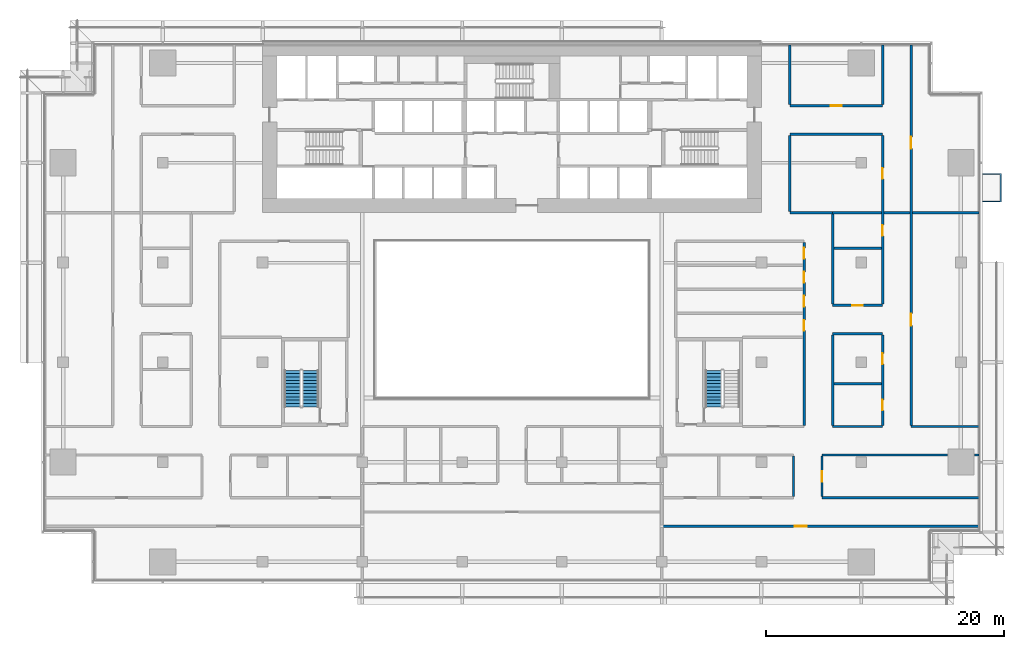
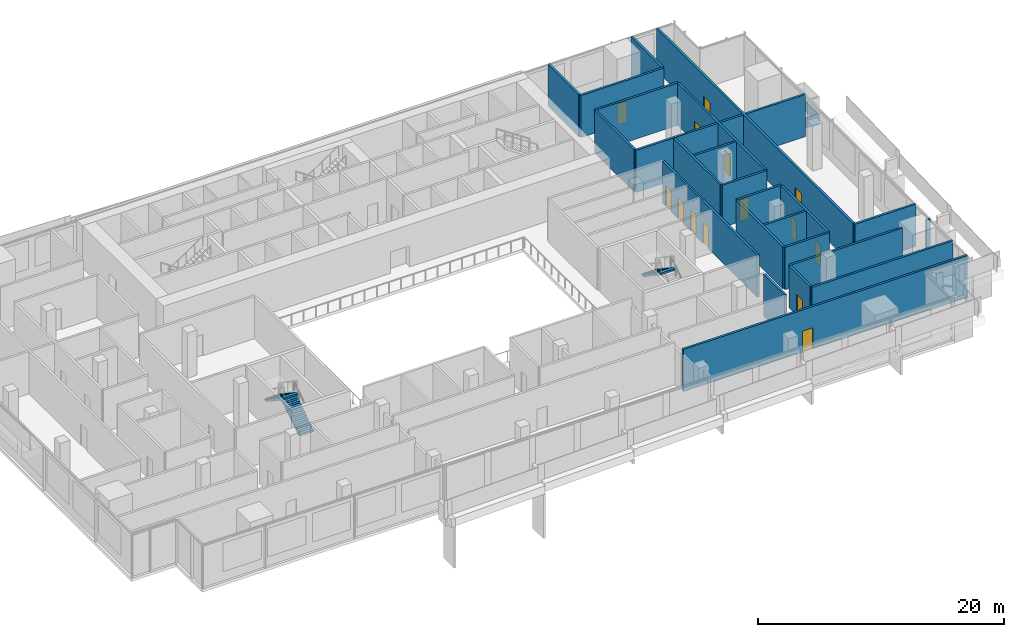
# One storey, part 18 of 24: 28 walls, 14 doors, 3 stair flights, 14 openings, 2 elements without a shape of their own.
"""IFC4 building model written with IfcOpenShell, lengths in metres."""

from ifc_helpers import new_model, si_unit, direction, frame, frame_2d, origin, place, context, subcontext, project, spatial, polyline, rectangle, outline, extrude, material, layer, layer_set, type_object, element, fill, aggregate, save


model = new_model("IFC4")

# Units and contexts
model_context = context("Model", 3, precision=1e-05, world=origin(), true_north=direction((0.0, 1.0)))
body_context = subcontext(model_context, "Body", "Model", "MODEL_VIEW")
ifc_project = project(units=[si_unit("LENGTHUNIT", "METRE"), si_unit("AREAUNIT", "SQUARE_METRE"), si_unit("VOLUMEUNIT", "CUBIC_METRE"), si_unit("PLANEANGLEUNIT", "RADIAN"), si_unit("MASSUNIT", "GRAM", prefix="KILO")], contexts=[model_context])

# Site, building, storey
site_placement = place(None, origin())
site = spatial("IfcSite", under=ifc_project, at=site_placement, CompositionType="ELEMENT")
building_placement = place(site_placement, origin())
building = spatial("IfcBuilding", under=site, at=building_placement, Name="Saffron Gate Tower", CompositionType="ELEMENT")
storey_placement = place(building_placement, frame((0.0, 0.0, 28.199951171875)))
storey = spatial("IfcBuildingStorey", under=building, at=storey_placement, Name="L05", CompositionType="ELEMENT", Elevation=28.199951171875)

# Wall, opening, door
ifc_material_1 = material(Name="Clay brick masonry, rendered", Category="masonry")
ifc_layer_1 = layer(ifc_material_1, 0.199951171875)
ifc_layer_set_1 = layer_set([ifc_layer_1], Name="PW3 Corridor wall 200")
wall_type_1 = type_object("IfcWallType", Name="PW3 Corridor wall 200", PredefinedType="PARTITIONING", material=ifc_layer_set_1)
wall_1_placement = place(storey_placement, frame((126.919921875, 34.800048828125, 0.0), z_axis=(0.0, 0.0, 1.0), x_axis=(-1.0, 0.0, 0.0)))
wall_1 = element("IfcWall", 1, at=wall_1_placement, inside=storey, type_object=wall_type_1, Name="Wall S2-2", PredefinedType="PARTITIONING", context=body_context, shape_type="SweptSolid", body=[
    extrude(rectangle(XDim=26.719970703125, YDim=0.199951171875, at=frame_2d((13.35986328125, 0.0))), origin(), (0.0, 0.0, 1.0), 4.199951171875),
])
opening_1_placement = place(wall_1_placement, frame((14.51611328125, 0.0, 0.0)))
opening_1 = element("IfcOpeningElement", 2, at=opening_1_placement, cuts=wall_1, Name="Opening S2-34", PredefinedType="OPENING", context=body_context, shape_type="SweptSolid", body=[
    extrude(rectangle(XDim=1.0, YDim=2.10009765625, at=frame_2d((0.5, 1.050048828125))), frame((0.0, 0.10986328125, 0.0), z_axis=(0.0, -1.0, 0.0), x_axis=(1.0, 0.0, 0.0)), (0.0, 0.0, 1.0), 0.219970703125),
])
ifc_material_2 = material(Name="Timber door set", Category="wood")
door_type_1 = type_object("IfcDoorType", Name="HD1 Hall door 1200x2100", OperationType="NOTDEFINED", PredefinedType="DOOR", material=ifc_material_2)
door_1_placement = place(opening_1_placement, origin())
door_1 = element("IfcDoor", 3, at=door_1_placement, inside=storey, type_object=door_type_1, Name="Door S2-34", OperationType="SINGLE_SWING_RIGHT", OverallHeight=2.10009765625, OverallWidth=1.0, PredefinedType="DOOR", context=body_context, shape_type="SweptSolid", body=[
    extrude(rectangle(XDim=1.0, YDim=2.10009765625, at=frame_2d((0.5, 1.050048828125))), frame((0.0, 0.02490234375, 0.0), z_axis=(0.0, -1.0, 0.0), x_axis=(1.0, 0.0, 0.0)), (0.0, 0.0, 1.0), 0.050048828125),
])
fill(opening_1, door_1)

# Walls
wall_2_placement = place(storey_placement, frame((113.699951171875, 37.199951171875, 0.0), z_axis=(0.0, 0.0, 1.0), x_axis=(1.0, 0.0, 0.0)))
element("IfcWall", 4, at=wall_2_placement, inside=storey, type_object=wall_type_1, Name="Wall S2-7", PredefinedType="PARTITIONING", context=body_context, shape_type="SweptSolid", body=[
    extrude(rectangle(XDim=13.219970703125, YDim=0.199951171875, at=frame_2d((6.60986328125, 0.0))), origin(), (0.0, 0.0, 1.0), 4.199951171875),
])
wall_3_placement = place(storey_placement, frame((113.699951171875, 40.800048828125, 0.0), z_axis=(0.0, 0.0, 1.0), x_axis=(1.0, 0.0, 0.0)))
element("IfcWall", 5, at=wall_3_placement, inside=storey, type_object=wall_type_1, Name="Wall S2-14", PredefinedType="PARTITIONING", context=body_context, shape_type="SweptSolid", body=[
    extrude(rectangle(XDim=10.580078125, YDim=0.199951171875, at=frame_2d((5.2900390625, 0.0))), origin(), (0.0, 0.0, 1.0), 4.199951171875),
])
wall_4_placement = place(storey_placement, frame((126.52001953125, 40.800048828125, 0.0), z_axis=(0.0, 0.0, 1.0), x_axis=(1.0, 0.0, 0.0)))
element("IfcWall", 6, at=wall_4_placement, inside=storey, type_object=wall_type_1, Name="Wall S2-15", PredefinedType="PARTITIONING", context=body_context, shape_type="SweptSolid", body=[
    extrude(rectangle(XDim=0.39990234375, YDim=0.199951171875, at=frame_2d((0.199951171875, 0.0))), origin(), (0.0, 0.0, 1.0), 4.199951171875),
])
wall_5_placement = place(storey_placement, frame((114.60009765625, 43.199951171875, 0.0), z_axis=(0.0, 0.0, 1.0), x_axis=(1.0, 0.0, 0.0)))
element("IfcWall", 7, at=wall_5_placement, inside=storey, type_object=wall_type_1, Name="Wall S2-22", PredefinedType="PARTITIONING", context=body_context, shape_type="SweptSolid", body=[
    extrude(rectangle(XDim=4.199951171875, YDim=0.199951171875, at=frame_2d((2.10009765625, 0.0))), origin(), (0.0, 0.0, 1.0), 4.199951171875),
])
wall_6_placement = place(storey_placement, frame((121.199951171875, 43.199951171875, 0.0), z_axis=(0.0, 0.0, 1.0), x_axis=(1.0, 0.0, 0.0)))
element("IfcWall", 8, at=wall_6_placement, inside=storey, type_object=wall_type_1, Name="Wall S2-23", PredefinedType="PARTITIONING", context=body_context, shape_type="SweptSolid", body=[
    extrude(rectangle(XDim=5.719970703125, YDim=0.199951171875, at=frame_2d((2.85986328125, 0.0))), origin(), (0.0, 0.0, 1.0), 4.199951171875),
])
wall_7_placement = place(storey_placement, frame((114.60009765625, 51.0, 0.0), z_axis=(0.0, 0.0, 1.0), x_axis=(1.0, 0.0, 0.0)))
element("IfcWall", 9, at=wall_7_placement, inside=storey, type_object=wall_type_1, Name="Wall S2-29", PredefinedType="PARTITIONING", context=body_context, shape_type="SweptSolid", body=[
    extrude(rectangle(XDim=4.199951171875, YDim=0.199951171875, at=frame_2d((2.10009765625, 0.0))), origin(), (0.0, 0.0, 1.0), 4.199951171875),
])

# Wall, opening, door
wall_8_placement = place(storey_placement, frame((114.60009765625, 53.39990234375, 0.0), z_axis=(0.0, 0.0, 1.0), x_axis=(1.0, 0.0, 0.0)))
wall_8 = element("IfcWall", 10, at=wall_8_placement, inside=storey, type_object=wall_type_1, Name="Wall S2-32", PredefinedType="PARTITIONING", context=body_context, shape_type="SweptSolid", body=[
    extrude(rectangle(XDim=4.199951171875, YDim=0.199951171875, at=frame_2d((2.10009765625, 0.0))), origin(), (0.0, 0.0, 1.0), 4.199951171875),
])
opening_2_placement = place(wall_8_placement, frame((1.64990234375, 0.0, 0.0)))
opening_2 = element("IfcOpeningElement", 11, at=opening_2_placement, cuts=wall_8, Name="Opening S2-26", PredefinedType="OPENING", context=body_context, shape_type="SweptSolid", body=[
    extrude(rectangle(XDim=0.89990234375, YDim=2.10009765625, at=frame_2d((0.449951171875, 1.050048828125))), frame((0.0, 0.10986328125, 0.0), z_axis=(0.0, -1.0, 0.0), x_axis=(1.0, 0.0, 0.0)), (0.0, 0.0, 1.0), 0.219970703125),
])
door_type_2 = type_object("IfcDoorType", Name="RD1 Room door 900x2100", OperationType="NOTDEFINED", PredefinedType="DOOR", material=ifc_material_2)
door_2_placement = place(opening_2_placement, origin())
door_2 = element("IfcDoor", 12, at=door_2_placement, inside=storey, type_object=door_type_2, Name="Door S2-26", OperationType="SINGLE_SWING_RIGHT", OverallHeight=2.10009765625, OverallWidth=0.89990234375, PredefinedType="DOOR", context=body_context, shape_type="SweptSolid", body=[
    extrude(rectangle(XDim=0.89990234375, YDim=2.10009765625, at=frame_2d((0.449951171875, 1.050048828125))), frame((0.0, 0.02490234375, 0.0), z_axis=(0.0, -1.0, 0.0), x_axis=(1.0, 0.0, 0.0)), (0.0, 0.0, 1.0), 0.050048828125),
])
fill(opening_2, door_2)

# Walls
wall_9_placement = place(storey_placement, frame((111.0, 61.199951171875, 0.0), z_axis=(0.0, 0.0, 1.0), x_axis=(1.0, 0.0, 0.0)))
element("IfcWall", 13, at=wall_9_placement, inside=storey, type_object=wall_type_1, Name="Wall S2-42", PredefinedType="PARTITIONING", context=body_context, shape_type="SweptSolid", body=[
    extrude(rectangle(XDim=3.60009765625, YDim=0.199951171875, at=frame_2d((1.800048828125, 0.0))), origin(), (0.0, 0.0, 1.0), 4.199951171875),
])
wall_10_placement = place(storey_placement, frame((118.89990234375, 61.199951171875, 0.0), z_axis=(0.0, 0.0, 1.0), x_axis=(1.0, 0.0, 0.0)))
element("IfcWall", 14, at=wall_10_placement, inside=storey, type_object=wall_type_1, Name="Wall S2-43", PredefinedType="PARTITIONING", context=body_context, shape_type="SweptSolid", body=[
    extrude(rectangle(XDim=2.2001953125, YDim=0.199951171875, at=frame_2d((1.10009765625, 0.0))), origin(), (0.0, 0.0, 1.0), 4.199951171875),
])
wall_11_placement = place(storey_placement, frame((111.0, 67.800048828125, 0.0), z_axis=(0.0, 0.0, 1.0), x_axis=(1.0, 0.0, 0.0)))
element("IfcWall", 15, at=wall_11_placement, inside=storey, type_object=wall_type_1, Name="Wall S2-49", PredefinedType="PARTITIONING", context=body_context, shape_type="SweptSolid", body=[
    extrude(rectangle(XDim=7.800048828125, YDim=0.199951171875, at=frame_2d((3.89990234375, 0.0))), origin(), (0.0, 0.0, 1.0), 4.199951171875),
])

# Wall, opening, door
wall_12_placement = place(storey_placement, frame((111.0, 70.199951171875, 0.0), z_axis=(0.0, 0.0, 1.0), x_axis=(1.0, 0.0, 0.0)))
wall_12 = element("IfcWall", 16, at=wall_12_placement, inside=storey, type_object=wall_type_1, Name="Wall S2-51", PredefinedType="PARTITIONING", context=body_context, shape_type="SweptSolid", body=[
    extrude(rectangle(XDim=7.800048828125, YDim=0.199951171875, at=frame_2d((3.89990234375, 0.0))), origin(), (0.0, 0.0, 1.0), 4.199951171875),
])
opening_3_placement = place(wall_12_placement, frame((3.449951171875, 0.0, 0.0)))
opening_3 = element("IfcOpeningElement", 17, at=opening_3_placement, cuts=wall_12, Name="Opening S2-29", PredefinedType="OPENING", context=body_context, shape_type="SweptSolid", body=[
    extrude(rectangle(XDim=0.89990234375, YDim=2.10009765625, at=frame_2d((0.449951171875, 1.050048828125))), frame((0.0, 0.10986328125, 0.0), z_axis=(0.0, -1.0, 0.0), x_axis=(1.0, 0.0, 0.0)), (0.0, 0.0, 1.0), 0.219970703125),
])
door_3_placement = place(opening_3_placement, origin())
door_3 = element("IfcDoor", 18, at=door_3_placement, inside=storey, type_object=door_type_2, Name="Door S2-29", OperationType="SINGLE_SWING_RIGHT", OverallHeight=2.10009765625, OverallWidth=0.89990234375, PredefinedType="DOOR", context=body_context, shape_type="SweptSolid", body=[
    extrude(rectangle(XDim=0.89990234375, YDim=2.10009765625, at=frame_2d((0.449951171875, 1.050048828125))), frame((0.0, 0.02490234375, 0.0), z_axis=(0.0, -1.0, 0.0), x_axis=(1.0, 0.0, 0.0)), (0.0, 0.0, 1.0), 0.050048828125),
])
fill(opening_3, door_3)

# Walls
wall_13_placement = place(storey_placement, frame((111.0, 67.699951171875, 0.0), z_axis=(0.0, 0.0, 1.0), x_axis=(0.0, -1.0, 0.0)))
element("IfcWall", 19, at=wall_13_placement, inside=storey, type_object=wall_type_1, Name="Wall S2-84", PredefinedType="PARTITIONING", context=body_context, shape_type="SweptSolid", body=[
    extrude(rectangle(XDim=6.39990234375, YDim=0.199951171875, at=frame_2d((3.199951171875, 0.0))), origin(), (0.0, 0.0, 1.0), 4.199951171875),
])
wall_14_placement = place(storey_placement, frame((111.0, 75.320068359375, 0.0), z_axis=(0.0, 0.0, 1.0), x_axis=(0.0, -1.0, 0.0)))
element("IfcWall", 20, at=wall_14_placement, inside=storey, type_object=wall_type_1, Name="Wall S2-85", PredefinedType="PARTITIONING", context=body_context, shape_type="SweptSolid", body=[
    extrude(rectangle(XDim=5.02001953125, YDim=0.199951171875, at=frame_2d((2.510009765625, 0.0))), origin(), (0.0, 0.0, 1.0), 4.199951171875),
])
wall_15_placement = place(storey_placement, frame((111.300048828125, 40.699951171875, 0.0), z_axis=(0.0, 0.0, 1.0), x_axis=(0.0, -1.0, 0.0)))
element("IfcWall", 21, at=wall_15_placement, inside=storey, type_object=wall_type_1, Name="Wall S2-86", PredefinedType="PARTITIONING", context=body_context, shape_type="SweptSolid", body=[
    extrude(rectangle(XDim=3.39990234375, YDim=0.199951171875, at=frame_2d((1.699951171875, 0.0))), origin(), (0.0, 0.0, 1.0), 4.199951171875),
])

# Wall, openings, doors
wall_16_placement = place(storey_placement, frame((112.199951171875, 43.300048828125, 0.0), z_axis=(0.0, 0.0, 1.0), x_axis=(0.0, 1.0, 0.0)))
wall_16 = element("IfcWall", 22, at=wall_16_placement, inside=storey, type_object=wall_type_1, Name="Wall S2-87", PredefinedType="PARTITIONING", context=body_context, shape_type="SweptSolid", body=[
    extrude(rectangle(XDim=15.39990234375, YDim=0.199951171875, at=frame_2d((7.699951171875, 0.0))), origin(), (0.0, 0.0, 1.0), 4.199951171875),
])
opening_4_placement = place(wall_16_placement, frame((7.96240234375, 0.0, 0.0)))
opening_4 = element("IfcOpeningElement", 23, at=opening_4_placement, cuts=wall_16, Name="Opening S2-1", PredefinedType="OPENING", context=body_context, shape_type="SweptSolid", body=[
    extrude(rectangle(XDim=0.89990234375, YDim=2.10009765625, at=frame_2d((0.449951171875, 1.050048828125))), frame((0.0, 0.10986328125, 0.0), z_axis=(0.0, -1.0, 0.0), x_axis=(1.0, 0.0, 0.0)), (0.0, 0.0, 1.0), 0.219970703125),
])
opening_5_placement = place(wall_16_placement, frame((9.987548828125, 0.0, 0.0)))
opening_5 = element("IfcOpeningElement", 24, at=opening_5_placement, cuts=wall_16, Name="Opening S2-2", PredefinedType="OPENING", context=body_context, shape_type="SweptSolid", body=[
    extrude(rectangle(XDim=0.89990234375, YDim=2.10009765625, at=frame_2d((0.449951171875, 1.050048828125))), frame((0.0, 0.10986328125, 0.0), z_axis=(0.0, -1.0, 0.0), x_axis=(1.0, 0.0, 0.0)), (0.0, 0.0, 1.0), 0.219970703125),
])
opening_6_placement = place(wall_16_placement, frame((12.012451171875, 0.0, 0.0)))
opening_6 = element("IfcOpeningElement", 25, at=opening_6_placement, cuts=wall_16, Name="Opening S2-3", PredefinedType="OPENING", context=body_context, shape_type="SweptSolid", body=[
    extrude(rectangle(XDim=0.89990234375, YDim=2.10009765625, at=frame_2d((0.449951171875, 1.050048828125))), frame((0.0, 0.10986328125, 0.0), z_axis=(0.0, -1.0, 0.0), x_axis=(1.0, 0.0, 0.0)), (0.0, 0.0, 1.0), 0.219970703125),
])
opening_7_placement = place(wall_16_placement, frame((14.03759765625, 0.0, 0.0)))
opening_7 = element("IfcOpeningElement", 26, at=opening_7_placement, cuts=wall_16, Name="Opening S2-4", PredefinedType="OPENING", context=body_context, shape_type="SweptSolid", body=[
    extrude(rectangle(XDim=0.89990234375, YDim=2.10009765625, at=frame_2d((0.449951171875, 1.050048828125))), frame((0.0, 0.10986328125, 0.0), z_axis=(0.0, -1.0, 0.0), x_axis=(1.0, 0.0, 0.0)), (0.0, 0.0, 1.0), 0.219970703125),
])
door_4_placement = place(opening_4_placement, origin())
door_4 = element("IfcDoor", 27, at=door_4_placement, inside=storey, type_object=door_type_2, Name="Door S2-1", OperationType="SINGLE_SWING_LEFT", OverallHeight=2.10009765625, OverallWidth=0.89990234375, PredefinedType="DOOR", context=body_context, shape_type="SweptSolid", body=[
    extrude(rectangle(XDim=0.89990234375, YDim=2.10009765625, at=frame_2d((0.449951171875, 1.050048828125))), frame((0.0, 0.02490234375, 0.0), z_axis=(0.0, -1.0, 0.0), x_axis=(1.0, 0.0, 0.0)), (0.0, 0.0, 1.0), 0.050048828125),
])
fill(opening_4, door_4)
door_5_placement = place(opening_5_placement, origin())
door_5 = element("IfcDoor", 28, at=door_5_placement, inside=storey, type_object=door_type_2, Name="Door S2-2", OperationType="SINGLE_SWING_LEFT", OverallHeight=2.10009765625, OverallWidth=0.89990234375, PredefinedType="DOOR", context=body_context, shape_type="SweptSolid", body=[
    extrude(rectangle(XDim=0.89990234375, YDim=2.10009765625, at=frame_2d((0.449951171875, 1.050048828125))), frame((0.0, 0.02490234375, 0.0), z_axis=(0.0, -1.0, 0.0), x_axis=(1.0, 0.0, 0.0)), (0.0, 0.0, 1.0), 0.050048828125),
])
fill(opening_5, door_5)
door_6_placement = place(opening_6_placement, origin())
door_6 = element("IfcDoor", 29, at=door_6_placement, inside=storey, type_object=door_type_2, Name="Door S2-3", OperationType="SINGLE_SWING_LEFT", OverallHeight=2.10009765625, OverallWidth=0.89990234375, PredefinedType="DOOR", context=body_context, shape_type="SweptSolid", body=[
    extrude(rectangle(XDim=0.89990234375, YDim=2.10009765625, at=frame_2d((0.449951171875, 1.050048828125))), frame((0.0, 0.02490234375, 0.0), z_axis=(0.0, -1.0, 0.0), x_axis=(1.0, 0.0, 0.0)), (0.0, 0.0, 1.0), 0.050048828125),
])
fill(opening_6, door_6)
door_7_placement = place(opening_7_placement, origin())
door_7 = element("IfcDoor", 30, at=door_7_placement, inside=storey, type_object=door_type_2, Name="Door S2-4", OperationType="SINGLE_SWING_RIGHT", OverallHeight=2.10009765625, OverallWidth=0.89990234375, PredefinedType="DOOR", context=body_context, shape_type="SweptSolid", body=[
    extrude(rectangle(XDim=0.89990234375, YDim=2.10009765625, at=frame_2d((0.449951171875, 1.050048828125))), frame((0.0, 0.02490234375, 0.0), z_axis=(0.0, -1.0, 0.0), x_axis=(1.0, 0.0, 0.0)), (0.0, 0.0, 1.0), 0.050048828125),
])
fill(opening_7, door_7)

# Wall, opening, door
wall_17_placement = place(storey_placement, frame((113.699951171875, 40.699951171875, 0.0), z_axis=(0.0, 0.0, 1.0), x_axis=(0.0, -1.0, 0.0)))
wall_17 = element("IfcWall", 31, at=wall_17_placement, inside=storey, type_object=wall_type_1, Name="Wall S2-88", PredefinedType="PARTITIONING", context=body_context, shape_type="SweptSolid", body=[
    extrude(rectangle(XDim=3.39990234375, YDim=0.199951171875, at=frame_2d((1.699951171875, 0.0))), origin(), (0.0, 0.0, 1.0), 4.199951171875),
])
opening_8_placement = place(wall_17_placement, frame((1.25, 0.0, 0.0)))
opening_8 = element("IfcOpeningElement", 32, at=opening_8_placement, cuts=wall_17, Name="Opening S2-17", PredefinedType="OPENING", context=body_context, shape_type="SweptSolid", body=[
    extrude(rectangle(XDim=0.89990234375, YDim=2.10009765625, at=frame_2d((0.449951171875, 1.050048828125))), frame((0.0, 0.10986328125, 0.0), z_axis=(0.0, -1.0, 0.0), x_axis=(1.0, 0.0, 0.0)), (0.0, 0.0, 1.0), 0.219970703125),
])
door_8_placement = place(opening_8_placement, origin())
door_8 = element("IfcDoor", 33, at=door_8_placement, inside=storey, type_object=door_type_2, Name="Door S2-17", OperationType="SINGLE_SWING_LEFT", OverallHeight=2.10009765625, OverallWidth=0.89990234375, PredefinedType="DOOR", context=body_context, shape_type="SweptSolid", body=[
    extrude(rectangle(XDim=0.89990234375, YDim=2.10009765625, at=frame_2d((0.449951171875, 1.050048828125))), frame((0.0, 0.02490234375, 0.0), z_axis=(0.0, -1.0, 0.0), x_axis=(1.0, 0.0, 0.0)), (0.0, 0.0, 1.0), 0.050048828125),
])
fill(opening_8, door_8)

# Walls
wall_18_placement = place(storey_placement, frame((114.60009765625, 50.89990234375, 0.0), z_axis=(0.0, 0.0, 1.0), x_axis=(0.0, -1.0, 0.0)))
element("IfcWall", 34, at=wall_18_placement, inside=storey, type_object=wall_type_1, Name="Wall S2-89", PredefinedType="PARTITIONING", context=body_context, shape_type="SweptSolid", body=[
    extrude(rectangle(XDim=7.599853515625, YDim=0.199951171875, at=frame_2d((3.7998046875, 0.0))), origin(), (0.0, 0.0, 1.0), 4.199951171875),
])
wall_19_placement = place(storey_placement, frame((114.60009765625, 61.10009765625, 0.0), z_axis=(0.0, 0.0, 1.0), x_axis=(0.0, -1.0, 0.0)))
element("IfcWall", 35, at=wall_19_placement, inside=storey, type_object=wall_type_1, Name="Wall S2-90", PredefinedType="PARTITIONING", context=body_context, shape_type="SweptSolid", body=[
    extrude(rectangle(XDim=7.60009765625, YDim=0.199951171875, at=frame_2d((3.800048828125, 0.0))), origin(), (0.0, 0.0, 1.0), 4.199951171875),
])

# Wall, openings, doors
wall_20_placement = place(storey_placement, frame((118.800048828125, 43.300048828125, 0.0), z_axis=(0.0, 0.0, 1.0), x_axis=(0.0, 1.0, 0.0)))
wall_20 = element("IfcWall", 36, at=wall_20_placement, inside=storey, type_object=wall_type_1, Name="Wall S2-91", PredefinedType="PARTITIONING", context=body_context, shape_type="SweptSolid", body=[
    extrude(rectangle(XDim=7.599853515625, YDim=0.199951171875, at=frame_2d((3.7998046875, 0.0))), origin(), (0.0, 0.0, 1.0), 4.199951171875),
])
opening_9_placement = place(wall_20_placement, frame((1.25, 0.0, 0.0)))
opening_9 = element("IfcOpeningElement", 37, at=opening_9_placement, cuts=wall_20, Name="Opening S2-24", PredefinedType="OPENING", context=body_context, shape_type="SweptSolid", body=[
    extrude(rectangle(XDim=0.89990234375, YDim=2.10009765625, at=frame_2d((0.449951171875, 1.050048828125))), frame((0.0, 0.10986328125, 0.0), z_axis=(0.0, -1.0, 0.0), x_axis=(1.0, 0.0, 0.0)), (0.0, 0.0, 1.0), 0.219970703125),
])
opening_10_placement = place(wall_20_placement, frame((5.14990234375, 0.0, 0.0)))
opening_10 = element("IfcOpeningElement", 38, at=opening_10_placement, cuts=wall_20, Name="Opening S2-25", PredefinedType="OPENING", context=body_context, shape_type="SweptSolid", body=[
    extrude(rectangle(XDim=0.89990234375, YDim=2.10009765625, at=frame_2d((0.449951171875, 1.050048828125))), frame((0.0, 0.10986328125, 0.0), z_axis=(0.0, -1.0, 0.0), x_axis=(1.0, 0.0, 0.0)), (0.0, 0.0, 1.0), 0.219970703125),
])
door_9_placement = place(opening_9_placement, origin())
door_9 = element("IfcDoor", 39, at=door_9_placement, inside=storey, type_object=door_type_2, Name="Door S2-24", OperationType="SINGLE_SWING_LEFT", OverallHeight=2.10009765625, OverallWidth=0.89990234375, PredefinedType="DOOR", context=body_context, shape_type="SweptSolid", body=[
    extrude(rectangle(XDim=0.89990234375, YDim=2.10009765625, at=frame_2d((0.449951171875, 1.050048828125))), frame((0.0, 0.02490234375, 0.0), z_axis=(0.0, -1.0, 0.0), x_axis=(1.0, 0.0, 0.0)), (0.0, 0.0, 1.0), 0.050048828125),
])
fill(opening_9, door_9)
door_10_placement = place(opening_10_placement, origin())
door_10 = element("IfcDoor", 40, at=door_10_placement, inside=storey, type_object=door_type_2, Name="Door S2-25", OperationType="SINGLE_SWING_RIGHT", OverallHeight=2.10009765625, OverallWidth=0.89990234375, PredefinedType="DOOR", context=body_context, shape_type="SweptSolid", body=[
    extrude(rectangle(XDim=0.89990234375, YDim=2.10009765625, at=frame_2d((0.449951171875, 1.050048828125))), frame((0.0, 0.02490234375, 0.0), z_axis=(0.0, -1.0, 0.0), x_axis=(1.0, 0.0, 0.0)), (0.0, 0.0, 1.0), 0.050048828125),
])
fill(opening_10, door_10)

wall_21_placement = place(storey_placement, frame((118.800048828125, 53.5, 0.0), z_axis=(0.0, 0.0, 1.0), x_axis=(0.0, 1.0, 0.0)))
wall_21 = element("IfcWall", 41, at=wall_21_placement, inside=storey, type_object=wall_type_1, Name="Wall S2-92", PredefinedType="PARTITIONING", context=body_context, shape_type="SweptSolid", body=[
    extrude(rectangle(XDim=14.199951171875, YDim=0.199951171875, at=frame_2d((7.10009765625, 0.0))), origin(), (0.0, 0.0, 1.0), 4.199951171875),
])
opening_11_placement = place(wall_21_placement, frame((5.75, 0.0, 0.0)))
opening_11 = element("IfcOpeningElement", 42, at=opening_11_placement, cuts=wall_21, Name="Opening S2-27", PredefinedType="OPENING", context=body_context, shape_type="SweptSolid", body=[
    extrude(rectangle(XDim=0.89990234375, YDim=2.10009765625, at=frame_2d((0.449951171875, 1.050048828125))), frame((0.0, 0.10986328125, 0.0), z_axis=(0.0, -1.0, 0.0), x_axis=(1.0, 0.0, 0.0)), (0.0, 0.0, 1.0), 0.219970703125),
])
opening_12_placement = place(wall_21_placement, frame((10.550048828125, 0.0, 0.0)))
opening_12 = element("IfcOpeningElement", 43, at=opening_12_placement, cuts=wall_21, Name="Opening S2-28", PredefinedType="OPENING", context=body_context, shape_type="SweptSolid", body=[
    extrude(rectangle(XDim=0.89990234375, YDim=2.10009765625, at=frame_2d((0.449951171875, 1.050048828125))), frame((0.0, 0.10986328125, 0.0), z_axis=(0.0, -1.0, 0.0), x_axis=(1.0, 0.0, 0.0)), (0.0, 0.0, 1.0), 0.219970703125),
])
door_11_placement = place(opening_11_placement, origin())
door_11 = element("IfcDoor", 44, at=door_11_placement, inside=storey, type_object=door_type_2, Name="Door S2-27", OperationType="SINGLE_SWING_LEFT", OverallHeight=2.10009765625, OverallWidth=0.89990234375, PredefinedType="DOOR", context=body_context, shape_type="SweptSolid", body=[
    extrude(rectangle(XDim=0.89990234375, YDim=2.10009765625, at=frame_2d((0.449951171875, 1.050048828125))), frame((0.0, 0.02490234375, 0.0), z_axis=(0.0, -1.0, 0.0), x_axis=(1.0, 0.0, 0.0)), (0.0, 0.0, 1.0), 0.050048828125),
])
fill(opening_11, door_11)
door_12_placement = place(opening_12_placement, origin())
door_12 = element("IfcDoor", 45, at=door_12_placement, inside=storey, type_object=door_type_2, Name="Door S2-28", OperationType="SINGLE_SWING_RIGHT", OverallHeight=2.10009765625, OverallWidth=0.89990234375, PredefinedType="DOOR", context=body_context, shape_type="SweptSolid", body=[
    extrude(rectangle(XDim=0.89990234375, YDim=2.10009765625, at=frame_2d((0.449951171875, 1.050048828125))), frame((0.0, 0.02490234375, 0.0), z_axis=(0.0, -1.0, 0.0), x_axis=(1.0, 0.0, 0.0)), (0.0, 0.0, 1.0), 0.050048828125),
])
fill(opening_12, door_12)

# Wall
wall_22_placement = place(storey_placement, frame((118.800048828125, 75.320068359375, 0.0), z_axis=(0.0, 0.0, 1.0), x_axis=(0.0, -1.0, 0.0)))
element("IfcWall", 46, at=wall_22_placement, inside=storey, type_object=wall_type_1, Name="Wall S2-93", PredefinedType="PARTITIONING", context=body_context, shape_type="SweptSolid", body=[
    extrude(rectangle(XDim=5.02001953125, YDim=0.199951171875, at=frame_2d((2.510009765625, 0.0))), origin(), (0.0, 0.0, 1.0), 4.199951171875),
])

# Wall, openings, doors
wall_23_placement = place(storey_placement, frame((121.199951171875, 75.320068359375, 0.0), z_axis=(0.0, 0.0, 1.0), x_axis=(0.0, -1.0, 0.0)))
wall_23 = element("IfcWall", 47, at=wall_23_placement, inside=storey, type_object=wall_type_1, Name="Wall S2-94", PredefinedType="PARTITIONING", context=body_context, shape_type="SweptSolid", body=[
    extrude(rectangle(XDim=32.02001953125, YDim=0.199951171875, at=frame_2d((16.010009765625, 0.0))), origin(), (0.0, 0.0, 1.0), 4.199951171875),
])
opening_13_placement = place(wall_23_placement, frame((7.728515625, 0.0, 0.0)))
opening_13 = element("IfcOpeningElement", 48, at=opening_13_placement, cuts=wall_23, Name="Opening S2-38", PredefinedType="OPENING", context=body_context, shape_type="SweptSolid", body=[
    extrude(rectangle(XDim=1.0, YDim=2.10009765625, at=frame_2d((0.5, 1.050048828125))), frame((0.0, 0.10986328125, 0.0), z_axis=(0.0, -1.0, 0.0), x_axis=(1.0, 0.0, 0.0)), (0.0, 0.0, 1.0), 0.219970703125),
])
opening_14_placement = place(wall_23_placement, frame((22.6201171875, 0.0, 0.0)))
opening_14 = element("IfcOpeningElement", 49, at=opening_14_placement, cuts=wall_23, Name="Opening S2-37", PredefinedType="OPENING", context=body_context, shape_type="SweptSolid", body=[
    extrude(rectangle(XDim=1.0, YDim=2.10009765625, at=frame_2d((0.5, 1.050048828125))), frame((0.0, 0.10986328125, 0.0), z_axis=(0.0, -1.0, 0.0), x_axis=(1.0, 0.0, 0.0)), (0.0, 0.0, 1.0), 0.219970703125),
])
door_13_placement = place(opening_13_placement, origin())
door_13 = element("IfcDoor", 50, at=door_13_placement, inside=storey, type_object=door_type_1, Name="Door S2-38", OperationType="SINGLE_SWING_RIGHT", OverallHeight=2.10009765625, OverallWidth=1.0, PredefinedType="DOOR", context=body_context, shape_type="SweptSolid", body=[
    extrude(rectangle(XDim=1.0, YDim=2.10009765625, at=frame_2d((0.5, 1.050048828125))), frame((0.0, 0.02490234375, 0.0), z_axis=(0.0, -1.0, 0.0), x_axis=(1.0, 0.0, 0.0)), (0.0, 0.0, 1.0), 0.050048828125),
])
fill(opening_13, door_13)
door_14_placement = place(opening_14_placement, origin())
door_14 = element("IfcDoor", 51, at=door_14_placement, inside=storey, type_object=door_type_1, Name="Door S2-37", OperationType="SINGLE_SWING_RIGHT", OverallHeight=2.10009765625, OverallWidth=1.0, PredefinedType="DOOR", context=body_context, shape_type="SweptSolid", body=[
    extrude(rectangle(XDim=1.0, YDim=2.10009765625, at=frame_2d((0.5, 1.050048828125))), frame((0.0, 0.02490234375, 0.0), z_axis=(0.0, -1.0, 0.0), x_axis=(1.0, 0.0, 0.0)), (0.0, 0.0, 1.0), 0.050048828125),
])
fill(opening_14, door_14)

# Walls
ifc_layer_2 = layer(ifc_material_1, 0.199951171875)
ifc_layer_set_2 = layer_set([ifc_layer_2], Name="PW5 Room wall 200")
wall_type_2 = type_object("IfcWallType", Name="PW5 Room wall 200", PredefinedType="PARTITIONING", material=ifc_layer_set_2)
for number, where, z_axis, x_axis, name in (
    (52, (114.699951171875, 46.800048828125, 0.0), (0.0, 0.0, 1.0), (1.0, 0.0, 0.0), "Wall S2-24"),
    (53, (114.699951171875, 58.199951171875, 0.0), (0.0, 0.0, 1.0), (1.0, 0.0, 0.0), "Wall S2-37"),
):
    element("IfcWall", number, at=place(storey_placement, frame(where, z_axis=z_axis, x_axis=x_axis)), inside=storey, type_object=wall_type_2, Name=name, PredefinedType="PARTITIONING", context=body_context, shape_type="SweptSolid", body=[
        extrude(rectangle(XDim=4.0, YDim=0.199951171875, at=frame_2d((2.0, 0.0))), origin(), (0.0, 0.0, 1.0), 4.199951171875),
    ])
wall_24_placement = place(storey_placement, frame((114.60009765625, 61.199951171875, 0.0), z_axis=(0.0, 0.0, 1.0), x_axis=(1.0, 0.0, 0.0)))
element("IfcWall", 54, at=wall_24_placement, inside=storey, type_object=wall_type_2, Name="Wall S2-46", PredefinedType="PARTITIONING", context=body_context, shape_type="SweptSolid", body=[
    extrude(rectangle(XDim=4.099853515625, YDim=0.199951171875, at=frame_2d((2.0498046875, 0.0))), origin(), (0.0, 0.0, 1.0), 4.199951171875),
])
wall_25_placement = place(storey_placement, frame((121.300048828125, 61.199951171875, 0.0), z_axis=(0.0, 0.0, 1.0), x_axis=(1.0, 0.0, 0.0)))
element("IfcWall", 55, at=wall_25_placement, inside=storey, type_object=wall_type_2, Name="Wall S2-47", PredefinedType="PARTITIONING", context=body_context, shape_type="SweptSolid", body=[
    extrude(rectangle(XDim=5.619873046875, YDim=0.199951171875, at=frame_2d((2.81005859375, 0.0))), origin(), (0.0, 0.0, 1.0), 4.199951171875),
])
ifc_material_3 = material(Name="Glazed ceramic tile, saffron")
ifc_layer_3 = layer(ifc_material_3, 0.10009765625)
ifc_layer_set_3 = layer_set([ifc_layer_3], Name="WB5 box parapet tile saffron")
wall_type_3 = type_object("IfcWallType", Name="WB5 box parapet tile saffron", PredefinedType="SOLIDWALL", material=ifc_layer_set_3)
wall_26_placement = place(storey_placement, origin())
element("IfcWall", 56, at=wall_26_placement, inside=storey, type_object=wall_type_3, Name="WINDOW BOX parapet", PredefinedType="SOLIDWALL", context=body_context, shape_type="SweptSolid", body=[
    extrude(outline(polyline([(127.199951171875, 62.10009765625), (127.199951171875, 62.199951171875), (128.699951171875, 62.199951171875), (128.699951171875, 64.39990234375), (127.199951171875, 64.39990234375), (127.199951171875, 64.5), (128.800048828125, 64.5), (128.800048828125, 62.10009765625), (127.199951171875, 62.10009765625)])), origin(), (0.0, 0.0, 1.0), 1.0),
])

# Stair, stair flights
ifc_material_4 = material(Name="Concrete C40", Category="concrete")
stair_type = type_object("IfcStairType", Name="ST6 Stair 1350 wide, 24 risers of 188", PredefinedType="HALF_TURN_STAIR", material=ifc_material_4)
stair_1_placement = place(storey_placement, origin())
stair_1 = element("IfcStair", 57, at=stair_1_placement, inside=storey, type_object=stair_type, Name="L05 Exit stair D", PredefinedType="HALF_TURN_STAIR")
stair_flight_type = type_object("IfcStairFlightType", Name="SF2 Stair flight 1350 wide, riser 188 going 280", PredefinedType="STRAIGHT", material=ifc_material_4)
stair_flight_1_placement = place(storey_placement, frame((70.625, 44.85009765625, 0.0), z_axis=(0.0, 0.0, 1.0), x_axis=(0.0, 1.0, 0.0)))
stair_flight_1 = element("IfcStairFlight", 58, at=stair_flight_1_placement, type_object=stair_flight_type, Name="ST-D flight 1", NumberOfRisers=12, NumberOfTreads=11, PredefinedType="STRAIGHT", RiserHeight=0.1875, TreadLength=0.28, context=body_context, shape_type="SweptSolid", body=[
    extrude(outline(polyline([(0.0, 0.0), (0.0, 0.1875), (0.280029296875, 0.1875), (0.280029296875, 0.375), (0.56005859375, 0.375), (0.56005859375, 0.5625), (0.840087890625, 0.5625), (0.840087890625, 0.75), (1.1201171875, 0.75), (1.1201171875, 0.9375), (1.39990234375, 0.9375), (1.39990234375, 1.125), (1.679931640625, 1.125), (1.679931640625, 1.3125), (1.9599609375, 1.3125), (1.9599609375, 1.5), (2.239990234375, 1.5), (2.239990234375, 1.6875), (2.52001953125, 1.6875), (2.52001953125, 1.875), (2.800048828125, 1.875), (2.800048828125, 2.0625), (3.080078125, 2.0625), (3.080078125, 2.25), (3.080078125, 1.882080078125), (0.26953125, 0.0), (0.0, 0.0)])), frame((0.0, 0.675048828125, 0.0), z_axis=(0.0, -1.0, 0.0), x_axis=(1.0, 0.0, 0.0)), (0.0, 0.0, 1.0), 1.35009765625),
])
stair_flight_2_placement = place(storey_placement, frame((69.125, 47.929931640625, 2.25), z_axis=(0.0, 0.0, 1.0), x_axis=(0.0, -1.0, 0.0)))
stair_flight_2 = element("IfcStairFlight", 59, at=stair_flight_2_placement, type_object=stair_flight_type, Name="ST-D flight 2", NumberOfRisers=12, NumberOfTreads=11, PredefinedType="STRAIGHT", RiserHeight=0.1875, TreadLength=0.28, context=body_context, shape_type="SweptSolid", body=[
    extrude(outline(polyline([(0.0, 0.0), (0.0, 0.1875), (0.280029296875, 0.1875), (0.280029296875, 0.375), (0.56005859375, 0.375), (0.56005859375, 0.5625), (0.840087890625, 0.5625), (0.840087890625, 0.75), (1.1201171875, 0.75), (1.1201171875, 0.9375), (1.39990234375, 0.9375), (1.39990234375, 1.125), (1.679931640625, 1.125), (1.679931640625, 1.3125), (1.9599609375, 1.3125), (1.9599609375, 1.5), (2.239990234375, 1.5), (2.239990234375, 1.6875), (2.52001953125, 1.6875), (2.52001953125, 1.875), (2.800048828125, 1.875), (2.800048828125, 2.0625), (3.080078125, 2.0625), (3.080078125, 2.25), (3.080078125, 1.882080078125), (0.26953125, 0.0), (0.0, 0.0)])), frame((0.0, 0.675048828125, 0.0), z_axis=(0.0, -1.0, 0.0), x_axis=(1.0, 0.0, 0.0)), (0.0, 0.0, 1.0), 1.35009765625),
])
aggregate(stair_1, [stair_flight_1, stair_flight_2])

# Stair, stair flight
stair_2_placement = place(storey_placement, origin())
stair_2 = element("IfcStair", 60, at=stair_2_placement, inside=storey, type_object=stair_type, Name="L05 Exit stair E", PredefinedType="HALF_TURN_STAIR")
stair_flight_3_placement = place(storey_placement, frame((104.574951171875, 47.929931640625, 2.25), z_axis=(0.0, 0.0, 1.0), x_axis=(0.0, -1.0, 0.0)))
stair_flight_3 = element("IfcStairFlight", 61, at=stair_flight_3_placement, type_object=stair_flight_type, Name="ST-E flight 2", NumberOfRisers=12, NumberOfTreads=11, PredefinedType="STRAIGHT", RiserHeight=0.1875, TreadLength=0.28, context=body_context, shape_type="SweptSolid", body=[
    extrude(outline(polyline([(0.0, 0.0), (0.0, 0.1875), (0.280029296875, 0.1875), (0.280029296875, 0.375), (0.56005859375, 0.375), (0.56005859375, 0.5625), (0.840087890625, 0.5625), (0.840087890625, 0.75), (1.1201171875, 0.75), (1.1201171875, 0.9375), (1.39990234375, 0.9375), (1.39990234375, 1.125), (1.679931640625, 1.125), (1.679931640625, 1.3125), (1.9599609375, 1.3125), (1.9599609375, 1.5), (2.239990234375, 1.5), (2.239990234375, 1.6875), (2.52001953125, 1.6875), (2.52001953125, 1.875), (2.800048828125, 1.875), (2.800048828125, 2.0625), (3.080078125, 2.0625), (3.080078125, 2.25), (3.080078125, 1.882080078125), (0.26953125, 0.0), (0.0, 0.0)])), frame((0.0, 0.675048828125, 0.0), z_axis=(0.0, -1.0, 0.0), x_axis=(1.0, 0.0, 0.0)), (0.0, 0.0, 1.0), 1.35009765625),
])
aggregate(stair_2, [stair_flight_3])

save(model, "model.ifc")
